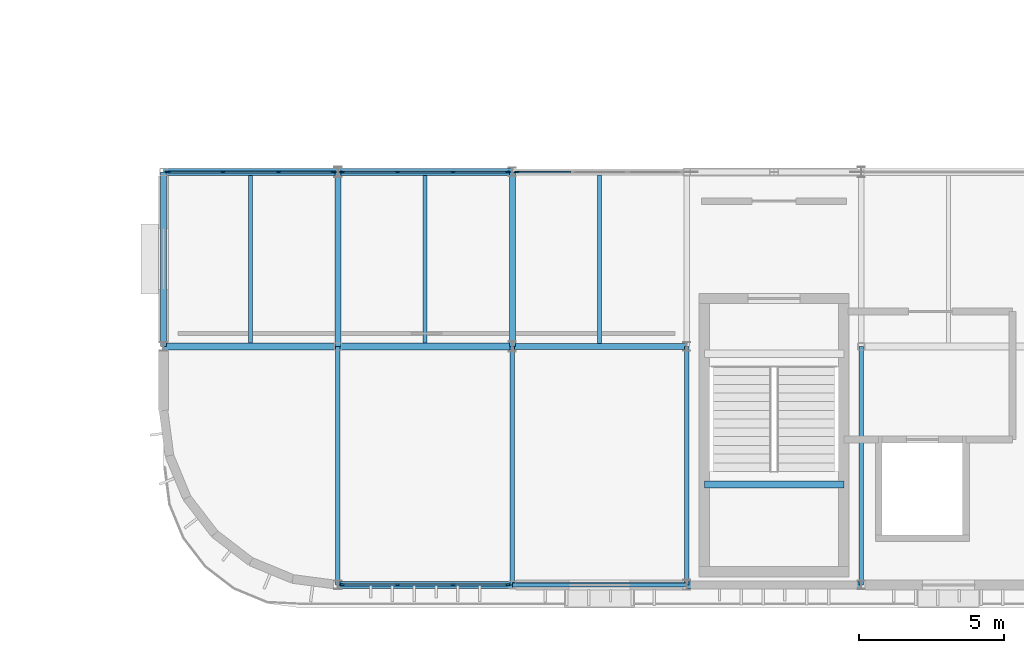
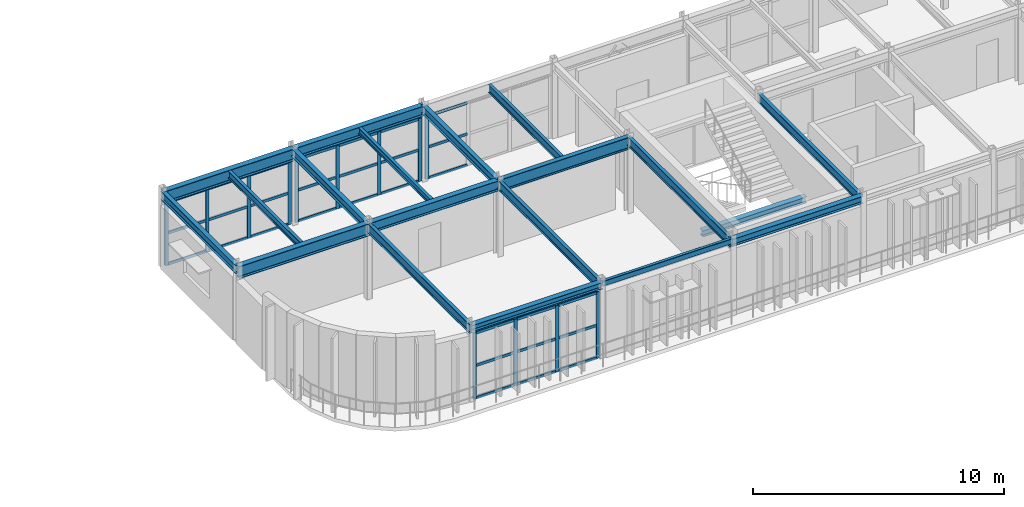
# One storey, part 16 of 63: 43 members, 19 beams, 4 elements without a shape of their own.
"""IFC4 building model written with IfcOpenShell, lengths in metres."""

from ifc_helpers import new_model, si_unit, direction, frame, origin, origin_2d, place, context, subcontext, project, spatial, rectangle, hollow_rectangle, i_section, extrude, material, material_profile, profile_set, type_object, element, aggregate, save


model = new_model("IFC4")

# Units and contexts
model_context = context("Model", 3, precision=1e-05, world=origin(), true_north=direction((0.0, 1.0)))
body_context = subcontext(model_context, "Body", "Model", "MODEL_VIEW")
ifc_project = project(units=[si_unit("LENGTHUNIT", "METRE"), si_unit("AREAUNIT", "SQUARE_METRE"), si_unit("VOLUMEUNIT", "CUBIC_METRE"), si_unit("PLANEANGLEUNIT", "RADIAN"), si_unit("MASSUNIT", "GRAM", prefix="KILO")], contexts=[model_context])

# Site, building, storey
site_placement = place(None, origin())
site = spatial("IfcSite", under=ifc_project, at=site_placement, CompositionType="ELEMENT")
building_placement = place(site_placement, origin())
building = spatial("IfcBuilding", under=site, at=building_placement, Name="Varnakota Square Police Headquarters", CompositionType="ELEMENT")
storey_placement = place(building_placement, frame((0.0, 0.0, 22.199951171875)))
storey = spatial("IfcBuildingStorey", under=building, at=storey_placement, Name="L05", CompositionType="ELEMENT", Elevation=22.199951171875)

# Beams
ifc_material_1 = material(Name="Steel IS 2062 Grade 350", Category="steel")
ifc_material_profile_1 = material_profile(ifc_material_1, hollow_rectangle(XDim=0.14990234375, YDim=0.25, WallThickness=0.010009765625, InnerFilletRadius=0.010009765625, OuterFilletRadius=0.02001953125, at=origin_2d()), Name="RHS 250x150x10")
ifc_profile_set_1 = profile_set([ifc_material_profile_1], Name="Steel IS 2062 Grade 350")
beam_type_1 = type_object("IfcBeamType", Name="BM-CBEAM-RHS250", PredefinedType="BEAM", material=ifc_profile_set_1)
beam_1_placement = place(storey_placement, frame((120.0, 0.800048828125, 3.56494140625), z_axis=(1.0, 0.0, 0.0), x_axis=(0.0, 1.0, 0.0)))
element("IfcBeam", 1, at=beam_1_placement, inside=storey, type_object=beam_type_1, Name="BMG-L05-3074", PredefinedType="BEAM", context=body_context, shape_type="SweptSolid", body=[
    extrude(hollow_rectangle(XDim=0.14990234375, YDim=0.25, WallThickness=0.010009765625, InnerFilletRadius=0.010009765625, OuterFilletRadius=0.02001953125, at=origin_2d()), origin(), (0.0, 0.0, 1.0), 6.0),
])
ifc_material_profile_2 = material_profile(ifc_material_1, i_section(OverallWidth=0.25, OverallDepth=0.300048828125, WebThickness=0.009521484375, FlangeThickness=0.010498046875, FilletRadius=0.011962890625, at=origin_2d()), Name="ISHB 300")
ifc_profile_set_2 = profile_set([ifc_material_profile_2], Name="Steel IS 2062 Grade 350")
beam_type_2 = type_object("IfcBeamType", Name="BM-ISHB300", PredefinedType="BEAM", material=ifc_profile_set_2)
beam_2_placement = place(storey_placement, frame((114.0, 0.800048828125, 3.5400390625), z_axis=(1.0, 0.0, 0.0), x_axis=(0.0, 1.0, 0.0)))
element("IfcBeam", 2, at=beam_2_placement, inside=storey, type_object=beam_type_2, Name="BMG-L05-3073", PredefinedType="BEAM", context=body_context, shape_type="SweptSolid", body=[
    extrude(i_section(OverallWidth=0.25, OverallDepth=0.300048828125, WebThickness=0.009521484375, FlangeThickness=0.010498046875, FilletRadius=0.011962890625, at=origin_2d()), origin(), (0.0, 0.0, 1.0), 6.0),
])
beam_3_placement = place(storey_placement, frame((126.60009765625, 4.24951171875, 1.634033203125), z_axis=(1.0, 0.0, 0.0), x_axis=(0.0, 1.0, 0.0)))
element("IfcBeam", 3, at=beam_3_placement, inside=storey, type_object=beam_type_2, Name="Stair landing support beam BM-LND-0012", PredefinedType="BEAM", context=body_context, shape_type="SweptSolid", body=[
    extrude(i_section(OverallWidth=0.25, OverallDepth=0.300048828125, WebThickness=0.009521484375, FlangeThickness=0.010498046875, FilletRadius=0.011962890625, at=origin_2d()), origin(), (0.0, 0.0, 1.0), 4.7998046875),
])
ifc_material_profile_3 = material_profile(ifc_material_1, i_section(OverallWidth=0.25, OverallDepth=0.35009765625, WebThickness=0.010009765625, FlangeThickness=0.01171875, FilletRadius=0.011962890625, at=origin_2d()), Name="ISHB 350")
ifc_profile_set_3 = profile_set([ifc_material_profile_3], Name="Steel IS 2062 Grade 350")
beam_type_3 = type_object("IfcBeamType", Name="BM-ISHB350", PredefinedType="BEAM", material=ifc_profile_set_3)
beam_4_placement = place(storey_placement, frame((126.0, 0.800048828125, 3.51513671875), z_axis=(1.0, 0.0, 0.0), x_axis=(0.0, 1.0, 0.0)))
element("IfcBeam", 4, at=beam_4_placement, inside=storey, type_object=beam_type_3, Name="BMG-L05-3075", PredefinedType="BEAM", context=body_context, shape_type="SweptSolid", body=[
    extrude(i_section(OverallWidth=0.25, OverallDepth=0.35009765625, WebThickness=0.010009765625, FlangeThickness=0.01171875, FilletRadius=0.011962890625, at=origin_2d()), origin(), (0.0, 0.0, 1.0), 6.0),
])
ifc_material_profile_4 = material_profile(ifc_material_1, i_section(OverallWidth=0.139892578125, OverallDepth=0.300048828125, WebThickness=0.0078125, FlangeThickness=0.01318359375, FilletRadius=0.013916015625, at=origin_2d()), Name="ISMB 300")
ifc_profile_set_4 = profile_set([ifc_material_profile_4], Name="Steel IS 2062 Grade 350")
beam_type_4 = type_object("IfcBeamType", Name="BM-ISMB300", PredefinedType="JOIST", material=ifc_profile_set_4)
beam_5_placement = place(storey_placement, frame((117.0, 9.123046875, 3.5400390625), z_axis=(0.0, 1.0, 0.0), x_axis=(-1.0, 0.0, 0.0)))
element("IfcBeam", 5, at=beam_5_placement, inside=storey, type_object=beam_type_4, Name="BMG-L05-3280", PredefinedType="JOIST", context=body_context, shape_type="SweptSolid", body=[
    extrude(i_section(OverallWidth=0.139892578125, OverallDepth=0.300048828125, WebThickness=0.0078125, FlangeThickness=0.01318359375, FilletRadius=0.013916015625, at=origin_2d()), origin(), (0.0, 0.0, 1.0), 5.75390625),
])
ifc_material_profile_5 = material_profile(ifc_material_1, i_section(OverallWidth=0.139892578125, OverallDepth=0.35009765625, WebThickness=0.008056640625, FlangeThickness=0.01416015625, FilletRadius=0.013916015625, at=origin_2d()), Name="ISMB 350")
ifc_profile_set_5 = profile_set([ifc_material_profile_5], Name="Steel IS 2062 Grade 350")
beam_type_5 = type_object("IfcBeamType", Name="BM-ISMB350", PredefinedType="JOIST", material=ifc_profile_set_5)
beam_6_placement = place(storey_placement, frame((111.0, 9.123046875, 3.51513671875), z_axis=(0.0, 1.0, 0.0), x_axis=(-1.0, 0.0, 0.0)))
element("IfcBeam", 6, at=beam_6_placement, inside=storey, type_object=beam_type_5, Name="BMG-L05-3279", PredefinedType="JOIST", context=body_context, shape_type="SweptSolid", body=[
    extrude(i_section(OverallWidth=0.139892578125, OverallDepth=0.35009765625, WebThickness=0.008056640625, FlangeThickness=0.01416015625, FilletRadius=0.013916015625, at=origin_2d()), origin(), (0.0, 0.0, 1.0), 5.75390625),
])
ifc_material_profile_6 = material_profile(ifc_material_1, i_section(OverallWidth=0.139892578125, OverallDepth=0.39990234375, WebThickness=0.0087890625, FlangeThickness=0.01611328125, FilletRadius=0.013916015625, at=origin_2d()), Name="ISMB 400")
ifc_profile_set_6 = profile_set([ifc_material_profile_6], Name="Steel IS 2062 Grade 350")
beam_type_6 = type_object("IfcBeamType", Name="BM-ISMB400", PredefinedType="JOIST", material=ifc_profile_set_6)
beam_7_placement = place(storey_placement, frame((123.0, 9.10302734375, 3.489990234375), z_axis=(0.0, 1.0, 0.0), x_axis=(-1.0, 0.0, 0.0)))
element("IfcBeam", 7, at=beam_7_placement, inside=storey, type_object=beam_type_6, Name="BMG-L05-3281", PredefinedType="JOIST", context=body_context, shape_type="SweptSolid", body=[
    extrude(i_section(OverallWidth=0.139892578125, OverallDepth=0.39990234375, WebThickness=0.0087890625, FlangeThickness=0.01611328125, FilletRadius=0.013916015625, at=origin_2d()), origin(), (0.0, 0.0, 1.0), 5.7939453125),
])
ifc_material_profile_7 = material_profile(ifc_material_1, i_section(OverallWidth=0.14990234375, OverallDepth=0.449951171875, WebThickness=0.009521484375, FlangeThickness=0.017333984375, FilletRadius=0.014892578125, at=origin_2d()), Name="ISMB 450")
ifc_profile_set_7 = profile_set([ifc_material_profile_7], Name="Steel IS 2062 Grade 350")
beam_type_7 = type_object("IfcBeamType", Name="BM-ISMB450", PredefinedType="BEAM", material=ifc_profile_set_7)
for number, where, z_axis, x_axis, name in (
    (8, (114.0, 0.800048828125, 3.465087890625), (0.0, 1.0, 0.0), (-1.0, 0.0, 0.0), "BMG-L05-3207"),
    (9, (120.0, 0.800048828125, 3.465087890625), (0.0, 1.0, 0.0), (-1.0, 0.0, 0.0), "BMG-L05-3209"),
    (10, (126.0, 0.800048828125, 3.465087890625), (0.0, 1.0, 0.0), (-1.0, 0.0, 0.0), "BMG-L05-3211"),
    (11, (132.0, 0.800048828125, 3.465087890625), (0.0, 1.0, 0.0), (-1.0, 0.0, 0.0), "BMG-L05-3213"),
):
    element("IfcBeam", number, at=place(storey_placement, frame(where, z_axis=z_axis, x_axis=x_axis)), inside=storey, type_object=beam_type_7, Name=name, PredefinedType="BEAM", context=body_context, shape_type="SweptSolid", body=[
        extrude(i_section(OverallWidth=0.14990234375, OverallDepth=0.449951171875, WebThickness=0.009521484375, FlangeThickness=0.017333984375, FilletRadius=0.014892578125, at=origin_2d()), origin(), (0.0, 0.0, 1.0), 8.199951171875),
    ])
ifc_material_profile_8 = material_profile(ifc_material_1, i_section(OverallWidth=0.2099609375, OverallDepth=0.60009765625, WebThickness=0.011962890625, FlangeThickness=0.020751953125, FilletRadius=0.02001953125, at=origin_2d()), Name="ISMB 600")
ifc_profile_set_8 = profile_set([ifc_material_profile_8], Name="Steel IS 2062 Grade 350")
beam_type_8 = type_object("IfcBeamType", Name="BM-ISMB600", PredefinedType="BEAM", material=ifc_profile_set_8)
beam_8_placement = place(storey_placement, frame((120.0, 9.0, 3.39013671875), z_axis=(1.0, 0.0, 0.0), x_axis=(0.0, 1.0, 0.0)))
element("IfcBeam", 12, at=beam_8_placement, inside=storey, type_object=beam_type_8, Name="BMG-L05-3082", PredefinedType="BEAM", context=body_context, shape_type="SweptSolid", body=[
    extrude(i_section(OverallWidth=0.2099609375, OverallDepth=0.60009765625, WebThickness=0.011962890625, FlangeThickness=0.020751953125, FilletRadius=0.02001953125, at=origin_2d()), origin(), (0.0, 0.0, 1.0), 6.0),
])
ifc_material_profile_9 = material_profile(ifc_material_1, i_section(OverallWidth=0.199951171875, OverallDepth=0.39990234375, WebThickness=0.008544921875, FlangeThickness=0.012939453125, FilletRadius=0.012939453125, at=origin_2d()), Name="ISWB 400")
ifc_profile_set_9 = profile_set([ifc_material_profile_9], Name="Steel IS 2062 Grade 350")
beam_type_9 = type_object("IfcBeamType", Name="BM-ISWB400", PredefinedType="BEAM", material=ifc_profile_set_9)
for number, where, z_axis, x_axis, name in (
    (13, (108.0, 9.0, 3.489990234375), (0.0, 1.0, 0.0), (-1.0, 0.0, 0.0), "BMG-L05-3206"),
    (14, (114.0, 9.0, 3.489990234375), (0.0, 1.0, 0.0), (-1.0, 0.0, 0.0), "BMG-L05-3208"),
    (15, (120.0, 9.0, 3.489990234375), (0.0, 1.0, 0.0), (-1.0, 0.0, 0.0), "BMG-L05-3210"),
):
    element("IfcBeam", number, at=place(storey_placement, frame(where, z_axis=z_axis, x_axis=x_axis)), inside=storey, type_object=beam_type_9, Name=name, PredefinedType="BEAM", context=body_context, shape_type="SweptSolid", body=[
        extrude(i_section(OverallWidth=0.199951171875, OverallDepth=0.39990234375, WebThickness=0.008544921875, FlangeThickness=0.012939453125, FilletRadius=0.012939453125, at=origin_2d()), origin(), (0.0, 0.0, 1.0), 6.0),
    ])
ifc_material_profile_10 = material_profile(ifc_material_1, i_section(OverallWidth=0.25, OverallDepth=0.5, WebThickness=0.010009765625, FlangeThickness=0.0146484375, FilletRadius=0.014892578125, at=origin_2d()), Name="ISWB 500")
ifc_profile_set_10 = profile_set([ifc_material_profile_10], Name="Steel IS 2062 Grade 350")
beam_type_10 = type_object("IfcBeamType", Name="BM-ISWB500", PredefinedType="BEAM", material=ifc_profile_set_10)
for number, where, z_axis, x_axis, name in (
    (16, (114.0, 9.0, 3.43994140625), (1.0, 0.0, 0.0), (0.0, 1.0, 0.0), "BMG-L05-3081"),
    (17, (114.0, 15.0, 3.43994140625), (1.0, 0.0, 0.0), (0.0, 1.0, 0.0), "BMG-L05-3089"),
):
    element("IfcBeam", number, at=place(storey_placement, frame(where, z_axis=z_axis, x_axis=x_axis)), inside=storey, type_object=beam_type_10, Name=name, PredefinedType="BEAM", context=body_context, shape_type="SweptSolid", body=[
        extrude(i_section(OverallWidth=0.25, OverallDepth=0.5, WebThickness=0.010009765625, FlangeThickness=0.0146484375, FilletRadius=0.014892578125, at=origin_2d()), origin(), (0.0, 0.0, 1.0), 6.0),
    ])
ifc_material_profile_11 = material_profile(ifc_material_1, i_section(OverallWidth=0.25, OverallDepth=0.60009765625, WebThickness=0.01171875, FlangeThickness=0.023681640625, FilletRadius=0.01708984375, at=origin_2d()), Name="ISWB 600")
ifc_profile_set_11 = profile_set([ifc_material_profile_11], Name="Steel IS 2062 Grade 350")
beam_type_11 = type_object("IfcBeamType", Name="BM-ISWB600", PredefinedType="BEAM", material=ifc_profile_set_11)
for number, where, z_axis, x_axis, name in (
    (18, (108.0, 9.0, 3.39013671875), (1.0, 0.0, 0.0), (0.0, 1.0, 0.0), "BMG-L05-3080"),
    (19, (108.0, 15.0, 3.39013671875), (1.0, 0.0, 0.0), (0.0, 1.0, 0.0), "BMG-L05-3088"),
):
    element("IfcBeam", number, at=place(storey_placement, frame(where, z_axis=z_axis, x_axis=x_axis)), inside=storey, type_object=beam_type_11, Name=name, PredefinedType="BEAM", context=body_context, shape_type="SweptSolid", body=[
        extrude(i_section(OverallWidth=0.25, OverallDepth=0.60009765625, WebThickness=0.01171875, FlangeThickness=0.023681640625, FilletRadius=0.01708984375, at=origin_2d()), origin(), (0.0, 0.0, 1.0), 6.0),
    ])

# Curtain wall, members
ifc_material_2 = material(Name="Anodised Aluminium Framing", Category="aluminium")
curtain_wall_type_1 = type_object("IfcCurtainWallType", Name="CW-SYS-C", PredefinedType="NOTDEFINED", material=ifc_material_2)
curtain_wall_1_placement = place(storey_placement, origin())
curtain_wall_1 = element("IfcCurtainWall", 20, at=curtain_wall_1_placement, inside=storey, type_object=curtain_wall_type_1, Name="Unitised curtain wall CWG-L05-099", PredefinedType="NOTDEFINED")
ifc_material_3 = material(Name="Anodised Aluminium 6063-T6", Category="aluminium")
ifc_material_profile_12 = material_profile(ifc_material_3, rectangle(XDim=0.06494140625, YDim=0.159912109375, at=origin_2d()), Name="ALU MULLION 65x160")
ifc_profile_set_12 = profile_set([ifc_material_profile_12], Name="Anodised Aluminium 6063-T6")
member_type_1 = type_object("IfcMemberType", Name="CWM-150", PredefinedType="MULLION", material=ifc_profile_set_12)
member_1_placement = place(storey_placement, frame((114.16259765625, 0.800048828125, 0.0), z_axis=(0.0, 0.0, 1.0), x_axis=(0.0, 1.0, 0.0)))
member_1 = element("IfcMember", 21, at=member_1_placement, type_object=member_type_1, Name="CWG-L05-099 mullion 1", PredefinedType="MULLION", context=body_context, shape_type="SweptSolid", body=[
    extrude(rectangle(XDim=0.06494140625, YDim=0.159912109375, at=origin_2d()), origin(), (0.0, 0.0, 1.0), 3.22998046875),
])
member_2_placement = place(storey_placement, frame((116.043212890625, 0.800048828125, 0.0), z_axis=(0.0, 0.0, 1.0), x_axis=(0.0, 1.0, 0.0)))
member_2 = element("IfcMember", 22, at=member_2_placement, type_object=member_type_1, Name="CWG-L05-099 mullion 2", PredefinedType="MULLION", context=body_context, shape_type="SweptSolid", body=[
    extrude(rectangle(XDim=0.06494140625, YDim=0.159912109375, at=origin_2d()), origin(), (0.0, 0.0, 1.0), 3.22998046875),
])
member_3_placement = place(storey_placement, frame((117.956787109375, 0.800048828125, 0.0), z_axis=(0.0, 0.0, 1.0), x_axis=(0.0, 1.0, 0.0)))
member_3 = element("IfcMember", 23, at=member_3_placement, type_object=member_type_1, Name="CWG-L05-099 mullion 3", PredefinedType="MULLION", context=body_context, shape_type="SweptSolid", body=[
    extrude(rectangle(XDim=0.06494140625, YDim=0.159912109375, at=origin_2d()), origin(), (0.0, 0.0, 1.0), 3.22998046875),
])
member_4_placement = place(storey_placement, frame((119.83740234375, 0.800048828125, 0.0), z_axis=(0.0, 0.0, 1.0), x_axis=(0.0, 1.0, 0.0)))
member_4 = element("IfcMember", 24, at=member_4_placement, type_object=member_type_1, Name="CWG-L05-099 mullion 4", PredefinedType="MULLION", context=body_context, shape_type="SweptSolid", body=[
    extrude(rectangle(XDim=0.06494140625, YDim=0.159912109375, at=origin_2d()), origin(), (0.0, 0.0, 1.0), 3.22998046875),
])

curtain_wall_type_2 = type_object("IfcCurtainWallType", Name="CW-SYS-D", PredefinedType="NOTDEFINED", material=ifc_material_2)
curtain_wall_2_placement = place(storey_placement, origin())
curtain_wall_2 = element("IfcCurtainWall", 25, at=curtain_wall_2_placement, inside=storey, type_object=curtain_wall_type_2, Name="Unitised curtain wall CWG-L05-102", PredefinedType="NOTDEFINED")
member_5_placement = place(storey_placement, frame((108.16259765625, 15.0, 0.0), z_axis=(0.0, 0.0, 1.0), x_axis=(0.0, 1.0, 0.0)))
member_5 = element("IfcMember", 26, at=member_5_placement, type_object=member_type_1, Name="CWG-L05-102 mullion 1", PredefinedType="MULLION", context=body_context, shape_type="SweptSolid", body=[
    extrude(rectangle(XDim=0.06494140625, YDim=0.159912109375, at=origin_2d()), origin(), (0.0, 0.0, 1.0), 3.080078125),
])
member_6_placement = place(storey_placement, frame((110.043212890625, 15.0, 0.0), z_axis=(0.0, 0.0, 1.0), x_axis=(0.0, 1.0, 0.0)))
member_6 = element("IfcMember", 27, at=member_6_placement, type_object=member_type_1, Name="CWG-L05-102 mullion 2", PredefinedType="MULLION", context=body_context, shape_type="SweptSolid", body=[
    extrude(rectangle(XDim=0.06494140625, YDim=0.159912109375, at=origin_2d()), origin(), (0.0, 0.0, 1.0), 3.080078125),
])
member_7_placement = place(storey_placement, frame((111.956787109375, 15.0, 0.0), z_axis=(0.0, 0.0, 1.0), x_axis=(0.0, 1.0, 0.0)))
member_7 = element("IfcMember", 28, at=member_7_placement, type_object=member_type_1, Name="CWG-L05-102 mullion 3", PredefinedType="MULLION", context=body_context, shape_type="SweptSolid", body=[
    extrude(rectangle(XDim=0.06494140625, YDim=0.159912109375, at=origin_2d()), origin(), (0.0, 0.0, 1.0), 3.080078125),
])
member_8_placement = place(storey_placement, frame((113.83740234375, 15.0, 0.0), z_axis=(0.0, 0.0, 1.0), x_axis=(0.0, 1.0, 0.0)))
member_8 = element("IfcMember", 29, at=member_8_placement, type_object=member_type_1, Name="CWG-L05-102 mullion 4", PredefinedType="MULLION", context=body_context, shape_type="SweptSolid", body=[
    extrude(rectangle(XDim=0.06494140625, YDim=0.159912109375, at=origin_2d()), origin(), (0.0, 0.0, 1.0), 3.080078125),
])

curtain_wall_3_placement = place(storey_placement, origin())
curtain_wall_3 = element("IfcCurtainWall", 30, at=curtain_wall_3_placement, inside=storey, type_object=curtain_wall_type_2, Name="Unitised curtain wall CWG-L05-103", PredefinedType="NOTDEFINED")
member_9_placement = place(storey_placement, frame((114.16259765625, 15.0, 0.0), z_axis=(0.0, 0.0, 1.0), x_axis=(0.0, 1.0, 0.0)))
member_9 = element("IfcMember", 31, at=member_9_placement, type_object=member_type_1, Name="CWG-L05-103 mullion 1", PredefinedType="MULLION", context=body_context, shape_type="SweptSolid", body=[
    extrude(rectangle(XDim=0.06494140625, YDim=0.159912109375, at=origin_2d()), origin(), (0.0, 0.0, 1.0), 3.080078125),
])
member_10_placement = place(storey_placement, frame((116.043212890625, 15.0, 0.0), z_axis=(0.0, 0.0, 1.0), x_axis=(0.0, 1.0, 0.0)))
member_10 = element("IfcMember", 32, at=member_10_placement, type_object=member_type_1, Name="CWG-L05-103 mullion 2", PredefinedType="MULLION", context=body_context, shape_type="SweptSolid", body=[
    extrude(rectangle(XDim=0.06494140625, YDim=0.159912109375, at=origin_2d()), origin(), (0.0, 0.0, 1.0), 3.080078125),
])
member_11_placement = place(storey_placement, frame((117.956787109375, 15.0, 0.0), z_axis=(0.0, 0.0, 1.0), x_axis=(0.0, 1.0, 0.0)))
member_11 = element("IfcMember", 33, at=member_11_placement, type_object=member_type_1, Name="CWG-L05-103 mullion 3", PredefinedType="MULLION", context=body_context, shape_type="SweptSolid", body=[
    extrude(rectangle(XDim=0.06494140625, YDim=0.159912109375, at=origin_2d()), origin(), (0.0, 0.0, 1.0), 3.080078125),
])
member_12_placement = place(storey_placement, frame((119.83740234375, 15.0, 0.0), z_axis=(0.0, 0.0, 1.0), x_axis=(0.0, 1.0, 0.0)))
member_12 = element("IfcMember", 34, at=member_12_placement, type_object=member_type_1, Name="CWG-L05-103 mullion 4", PredefinedType="MULLION", context=body_context, shape_type="SweptSolid", body=[
    extrude(rectangle(XDim=0.06494140625, YDim=0.159912109375, at=origin_2d()), origin(), (0.0, 0.0, 1.0), 3.080078125),
])

# Curtain wall, member
curtain_wall_4_placement = place(storey_placement, origin())
curtain_wall_4 = element("IfcCurtainWall", 35, at=curtain_wall_4_placement, inside=storey, type_object=curtain_wall_type_2, Name="Unitised curtain wall CWG-L05-104", PredefinedType="NOTDEFINED")
member_13_placement = place(storey_placement, frame((120.16259765625, 15.0, 0.0), z_axis=(0.0, 0.0, 1.0), x_axis=(0.0, 1.0, 0.0)))
member_13 = element("IfcMember", 36, at=member_13_placement, type_object=member_type_1, Name="CWG-L05-104 mullion 1", PredefinedType="MULLION", context=body_context, shape_type="SweptSolid", body=[
    extrude(rectangle(XDim=0.06494140625, YDim=0.159912109375, at=origin_2d()), origin(), (0.0, 0.0, 1.0), 3.080078125),
])

# Member
ifc_material_profile_13 = material_profile(ifc_material_3, rectangle(XDim=0.06494140625, YDim=0.1298828125, at=origin_2d()), Name="ALU TRANSOM 65x130")
ifc_profile_set_13 = profile_set([ifc_material_profile_13], Name="Anodised Aluminium 6063-T6")
member_type_2 = type_object("IfcMemberType", Name="CWT-120", PredefinedType="USERDEFINED", material=ifc_profile_set_13)
member_14_placement = place(storey_placement, frame((114.195068359375, 0.800048828125, 0.032470703125), z_axis=(1.0, 0.0, 0.0), x_axis=(0.0, 1.0, 0.0)))
member_14 = element("IfcMember", 37, at=member_14_placement, type_object=member_type_2, Name="CWG-L05-099 transom 1.1", ObjectType="TRANSOM", PredefinedType="USERDEFINED", context=body_context, shape_type="SweptSolid", body=[
    extrude(rectangle(XDim=0.06494140625, YDim=0.1298828125, at=origin_2d()), origin(), (0.0, 0.0, 1.0), 1.815673828125),
])

member_15_placement = place(storey_placement, frame((114.195068359375, 0.800048828125, 1.614990234375), z_axis=(1.0, 0.0, 0.0), x_axis=(0.0, 1.0, 0.0)))
member_15 = element("IfcMember", 38, at=member_15_placement, type_object=member_type_2, Name="CWG-L05-099 transom 1.2", ObjectType="TRANSOM", PredefinedType="USERDEFINED", context=body_context, shape_type="SweptSolid", body=[
    extrude(rectangle(XDim=0.06494140625, YDim=0.1298828125, at=origin_2d()), origin(), (0.0, 0.0, 1.0), 1.815673828125),
])

member_16_placement = place(storey_placement, frame((114.195068359375, 0.800048828125, 3.197509765625), z_axis=(1.0, 0.0, 0.0), x_axis=(0.0, 1.0, 0.0)))
member_16 = element("IfcMember", 39, at=member_16_placement, type_object=member_type_2, Name="CWG-L05-099 transom 1.3", ObjectType="TRANSOM", PredefinedType="USERDEFINED", context=body_context, shape_type="SweptSolid", body=[
    extrude(rectangle(XDim=0.06494140625, YDim=0.1298828125, at=origin_2d()), origin(), (0.0, 0.0, 1.0), 1.815673828125),
])

member_17_placement = place(storey_placement, frame((116.075927734375, 0.800048828125, 0.032470703125), z_axis=(1.0, 0.0, 0.0), x_axis=(0.0, 1.0, 0.0)))
member_17 = element("IfcMember", 40, at=member_17_placement, type_object=member_type_2, Name="CWG-L05-099 transom 2.1", ObjectType="TRANSOM", PredefinedType="USERDEFINED", context=body_context, shape_type="SweptSolid", body=[
    extrude(rectangle(XDim=0.06494140625, YDim=0.1298828125, at=origin_2d()), origin(), (0.0, 0.0, 1.0), 1.84814453125),
])

member_18_placement = place(storey_placement, frame((116.075927734375, 0.800048828125, 1.614990234375), z_axis=(1.0, 0.0, 0.0), x_axis=(0.0, 1.0, 0.0)))
member_18 = element("IfcMember", 41, at=member_18_placement, type_object=member_type_2, Name="CWG-L05-099 transom 2.2", ObjectType="TRANSOM", PredefinedType="USERDEFINED", context=body_context, shape_type="SweptSolid", body=[
    extrude(rectangle(XDim=0.06494140625, YDim=0.1298828125, at=origin_2d()), origin(), (0.0, 0.0, 1.0), 1.84814453125),
])

member_19_placement = place(storey_placement, frame((116.075927734375, 0.800048828125, 3.197509765625), z_axis=(1.0, 0.0, 0.0), x_axis=(0.0, 1.0, 0.0)))
member_19 = element("IfcMember", 42, at=member_19_placement, type_object=member_type_2, Name="CWG-L05-099 transom 2.3", ObjectType="TRANSOM", PredefinedType="USERDEFINED", context=body_context, shape_type="SweptSolid", body=[
    extrude(rectangle(XDim=0.06494140625, YDim=0.1298828125, at=origin_2d()), origin(), (0.0, 0.0, 1.0), 1.84814453125),
])

member_20_placement = place(storey_placement, frame((117.9892578125, 0.800048828125, 0.032470703125), z_axis=(1.0, 0.0, 0.0), x_axis=(0.0, 1.0, 0.0)))
member_20 = element("IfcMember", 43, at=member_20_placement, type_object=member_type_2, Name="CWG-L05-099 transom 3.1", ObjectType="TRANSOM", PredefinedType="USERDEFINED", context=body_context, shape_type="SweptSolid", body=[
    extrude(rectangle(XDim=0.06494140625, YDim=0.1298828125, at=origin_2d()), origin(), (0.0, 0.0, 1.0), 1.815673828125),
])

member_21_placement = place(storey_placement, frame((117.9892578125, 0.800048828125, 1.614990234375), z_axis=(1.0, 0.0, 0.0), x_axis=(0.0, 1.0, 0.0)))
member_21 = element("IfcMember", 44, at=member_21_placement, type_object=member_type_2, Name="CWG-L05-099 transom 3.2", ObjectType="TRANSOM", PredefinedType="USERDEFINED", context=body_context, shape_type="SweptSolid", body=[
    extrude(rectangle(XDim=0.06494140625, YDim=0.1298828125, at=origin_2d()), origin(), (0.0, 0.0, 1.0), 1.815673828125),
])

member_22_placement = place(storey_placement, frame((117.9892578125, 0.800048828125, 3.197509765625), z_axis=(1.0, 0.0, 0.0), x_axis=(0.0, 1.0, 0.0)))
member_22 = element("IfcMember", 45, at=member_22_placement, type_object=member_type_2, Name="CWG-L05-099 transom 3.3", ObjectType="TRANSOM", PredefinedType="USERDEFINED", context=body_context, shape_type="SweptSolid", body=[
    extrude(rectangle(XDim=0.06494140625, YDim=0.1298828125, at=origin_2d()), origin(), (0.0, 0.0, 1.0), 1.815673828125),
])

aggregate(curtain_wall_1, [member_1, member_2, member_3, member_4, member_14, member_15, member_16, member_17, member_18, member_19, member_20, member_21, member_22])

member_23_placement = place(storey_placement, frame((108.195068359375, 15.0, 0.032470703125), z_axis=(1.0, 0.0, 0.0), x_axis=(0.0, 1.0, 0.0)))
member_23 = element("IfcMember", 46, at=member_23_placement, type_object=member_type_2, Name="CWG-L05-102 transom 1.1", ObjectType="TRANSOM", PredefinedType="USERDEFINED", context=body_context, shape_type="SweptSolid", body=[
    extrude(rectangle(XDim=0.06494140625, YDim=0.1298828125, at=origin_2d()), origin(), (0.0, 0.0, 1.0), 1.815673828125),
])

member_24_placement = place(storey_placement, frame((108.195068359375, 15.0, 1.5400390625), z_axis=(1.0, 0.0, 0.0), x_axis=(0.0, 1.0, 0.0)))
member_24 = element("IfcMember", 47, at=member_24_placement, type_object=member_type_2, Name="CWG-L05-102 transom 1.2", ObjectType="TRANSOM", PredefinedType="USERDEFINED", context=body_context, shape_type="SweptSolid", body=[
    extrude(rectangle(XDim=0.06494140625, YDim=0.1298828125, at=origin_2d()), origin(), (0.0, 0.0, 1.0), 1.815673828125),
])

member_25_placement = place(storey_placement, frame((108.195068359375, 15.0, 3.047607421875), z_axis=(1.0, 0.0, 0.0), x_axis=(0.0, 1.0, 0.0)))
member_25 = element("IfcMember", 48, at=member_25_placement, type_object=member_type_2, Name="CWG-L05-102 transom 1.3", ObjectType="TRANSOM", PredefinedType="USERDEFINED", context=body_context, shape_type="SweptSolid", body=[
    extrude(rectangle(XDim=0.06494140625, YDim=0.1298828125, at=origin_2d()), origin(), (0.0, 0.0, 1.0), 1.815673828125),
])

member_26_placement = place(storey_placement, frame((110.075927734375, 15.0, 0.032470703125), z_axis=(1.0, 0.0, 0.0), x_axis=(0.0, 1.0, 0.0)))
member_26 = element("IfcMember", 49, at=member_26_placement, type_object=member_type_2, Name="CWG-L05-102 transom 2.1", ObjectType="TRANSOM", PredefinedType="USERDEFINED", context=body_context, shape_type="SweptSolid", body=[
    extrude(rectangle(XDim=0.06494140625, YDim=0.1298828125, at=origin_2d()), origin(), (0.0, 0.0, 1.0), 1.84814453125),
])

member_27_placement = place(storey_placement, frame((110.075927734375, 15.0, 1.5400390625), z_axis=(1.0, 0.0, 0.0), x_axis=(0.0, 1.0, 0.0)))
member_27 = element("IfcMember", 50, at=member_27_placement, type_object=member_type_2, Name="CWG-L05-102 transom 2.2", ObjectType="TRANSOM", PredefinedType="USERDEFINED", context=body_context, shape_type="SweptSolid", body=[
    extrude(rectangle(XDim=0.06494140625, YDim=0.1298828125, at=origin_2d()), origin(), (0.0, 0.0, 1.0), 1.84814453125),
])

member_28_placement = place(storey_placement, frame((110.075927734375, 15.0, 3.047607421875), z_axis=(1.0, 0.0, 0.0), x_axis=(0.0, 1.0, 0.0)))
member_28 = element("IfcMember", 51, at=member_28_placement, type_object=member_type_2, Name="CWG-L05-102 transom 2.3", ObjectType="TRANSOM", PredefinedType="USERDEFINED", context=body_context, shape_type="SweptSolid", body=[
    extrude(rectangle(XDim=0.06494140625, YDim=0.1298828125, at=origin_2d()), origin(), (0.0, 0.0, 1.0), 1.84814453125),
])

member_29_placement = place(storey_placement, frame((111.9892578125, 15.0, 0.032470703125), z_axis=(1.0, 0.0, 0.0), x_axis=(0.0, 1.0, 0.0)))
member_29 = element("IfcMember", 52, at=member_29_placement, type_object=member_type_2, Name="CWG-L05-102 transom 3.1", ObjectType="TRANSOM", PredefinedType="USERDEFINED", context=body_context, shape_type="SweptSolid", body=[
    extrude(rectangle(XDim=0.06494140625, YDim=0.1298828125, at=origin_2d()), origin(), (0.0, 0.0, 1.0), 1.815673828125),
])

member_30_placement = place(storey_placement, frame((111.9892578125, 15.0, 1.5400390625), z_axis=(1.0, 0.0, 0.0), x_axis=(0.0, 1.0, 0.0)))
member_30 = element("IfcMember", 53, at=member_30_placement, type_object=member_type_2, Name="CWG-L05-102 transom 3.2", ObjectType="TRANSOM", PredefinedType="USERDEFINED", context=body_context, shape_type="SweptSolid", body=[
    extrude(rectangle(XDim=0.06494140625, YDim=0.1298828125, at=origin_2d()), origin(), (0.0, 0.0, 1.0), 1.815673828125),
])

member_31_placement = place(storey_placement, frame((111.9892578125, 15.0, 3.047607421875), z_axis=(1.0, 0.0, 0.0), x_axis=(0.0, 1.0, 0.0)))
member_31 = element("IfcMember", 54, at=member_31_placement, type_object=member_type_2, Name="CWG-L05-102 transom 3.3", ObjectType="TRANSOM", PredefinedType="USERDEFINED", context=body_context, shape_type="SweptSolid", body=[
    extrude(rectangle(XDim=0.06494140625, YDim=0.1298828125, at=origin_2d()), origin(), (0.0, 0.0, 1.0), 1.815673828125),
])

aggregate(curtain_wall_2, [member_5, member_6, member_7, member_8, member_23, member_24, member_25, member_26, member_27, member_28, member_29, member_30, member_31])

member_32_placement = place(storey_placement, frame((114.195068359375, 15.0, 0.032470703125), z_axis=(1.0, 0.0, 0.0), x_axis=(0.0, 1.0, 0.0)))
member_32 = element("IfcMember", 55, at=member_32_placement, type_object=member_type_2, Name="CWG-L05-103 transom 1.1", ObjectType="TRANSOM", PredefinedType="USERDEFINED", context=body_context, shape_type="SweptSolid", body=[
    extrude(rectangle(XDim=0.06494140625, YDim=0.1298828125, at=origin_2d()), origin(), (0.0, 0.0, 1.0), 1.815673828125),
])

member_33_placement = place(storey_placement, frame((114.195068359375, 15.0, 1.5400390625), z_axis=(1.0, 0.0, 0.0), x_axis=(0.0, 1.0, 0.0)))
member_33 = element("IfcMember", 56, at=member_33_placement, type_object=member_type_2, Name="CWG-L05-103 transom 1.2", ObjectType="TRANSOM", PredefinedType="USERDEFINED", context=body_context, shape_type="SweptSolid", body=[
    extrude(rectangle(XDim=0.06494140625, YDim=0.1298828125, at=origin_2d()), origin(), (0.0, 0.0, 1.0), 1.815673828125),
])

member_34_placement = place(storey_placement, frame((114.195068359375, 15.0, 3.047607421875), z_axis=(1.0, 0.0, 0.0), x_axis=(0.0, 1.0, 0.0)))
member_34 = element("IfcMember", 57, at=member_34_placement, type_object=member_type_2, Name="CWG-L05-103 transom 1.3", ObjectType="TRANSOM", PredefinedType="USERDEFINED", context=body_context, shape_type="SweptSolid", body=[
    extrude(rectangle(XDim=0.06494140625, YDim=0.1298828125, at=origin_2d()), origin(), (0.0, 0.0, 1.0), 1.815673828125),
])

member_35_placement = place(storey_placement, frame((116.075927734375, 15.0, 0.032470703125), z_axis=(1.0, 0.0, 0.0), x_axis=(0.0, 1.0, 0.0)))
member_35 = element("IfcMember", 58, at=member_35_placement, type_object=member_type_2, Name="CWG-L05-103 transom 2.1", ObjectType="TRANSOM", PredefinedType="USERDEFINED", context=body_context, shape_type="SweptSolid", body=[
    extrude(rectangle(XDim=0.06494140625, YDim=0.1298828125, at=origin_2d()), origin(), (0.0, 0.0, 1.0), 1.84814453125),
])

member_36_placement = place(storey_placement, frame((116.075927734375, 15.0, 1.5400390625), z_axis=(1.0, 0.0, 0.0), x_axis=(0.0, 1.0, 0.0)))
member_36 = element("IfcMember", 59, at=member_36_placement, type_object=member_type_2, Name="CWG-L05-103 transom 2.2", ObjectType="TRANSOM", PredefinedType="USERDEFINED", context=body_context, shape_type="SweptSolid", body=[
    extrude(rectangle(XDim=0.06494140625, YDim=0.1298828125, at=origin_2d()), origin(), (0.0, 0.0, 1.0), 1.84814453125),
])

member_37_placement = place(storey_placement, frame((116.075927734375, 15.0, 3.047607421875), z_axis=(1.0, 0.0, 0.0), x_axis=(0.0, 1.0, 0.0)))
member_37 = element("IfcMember", 60, at=member_37_placement, type_object=member_type_2, Name="CWG-L05-103 transom 2.3", ObjectType="TRANSOM", PredefinedType="USERDEFINED", context=body_context, shape_type="SweptSolid", body=[
    extrude(rectangle(XDim=0.06494140625, YDim=0.1298828125, at=origin_2d()), origin(), (0.0, 0.0, 1.0), 1.84814453125),
])

member_38_placement = place(storey_placement, frame((117.9892578125, 15.0, 0.032470703125), z_axis=(1.0, 0.0, 0.0), x_axis=(0.0, 1.0, 0.0)))
member_38 = element("IfcMember", 61, at=member_38_placement, type_object=member_type_2, Name="CWG-L05-103 transom 3.1", ObjectType="TRANSOM", PredefinedType="USERDEFINED", context=body_context, shape_type="SweptSolid", body=[
    extrude(rectangle(XDim=0.06494140625, YDim=0.1298828125, at=origin_2d()), origin(), (0.0, 0.0, 1.0), 1.815673828125),
])

member_39_placement = place(storey_placement, frame((117.9892578125, 15.0, 1.5400390625), z_axis=(1.0, 0.0, 0.0), x_axis=(0.0, 1.0, 0.0)))
member_39 = element("IfcMember", 62, at=member_39_placement, type_object=member_type_2, Name="CWG-L05-103 transom 3.2", ObjectType="TRANSOM", PredefinedType="USERDEFINED", context=body_context, shape_type="SweptSolid", body=[
    extrude(rectangle(XDim=0.06494140625, YDim=0.1298828125, at=origin_2d()), origin(), (0.0, 0.0, 1.0), 1.815673828125),
])

member_40_placement = place(storey_placement, frame((117.9892578125, 15.0, 3.047607421875), z_axis=(1.0, 0.0, 0.0), x_axis=(0.0, 1.0, 0.0)))
member_40 = element("IfcMember", 63, at=member_40_placement, type_object=member_type_2, Name="CWG-L05-103 transom 3.3", ObjectType="TRANSOM", PredefinedType="USERDEFINED", context=body_context, shape_type="SweptSolid", body=[
    extrude(rectangle(XDim=0.06494140625, YDim=0.1298828125, at=origin_2d()), origin(), (0.0, 0.0, 1.0), 1.815673828125),
])

aggregate(curtain_wall_3, [member_9, member_10, member_11, member_12, member_32, member_33, member_34, member_35, member_36, member_37, member_38, member_39, member_40])

member_41_placement = place(storey_placement, frame((120.195068359375, 15.0, 0.032470703125), z_axis=(1.0, 0.0, 0.0), x_axis=(0.0, 1.0, 0.0)))
member_41 = element("IfcMember", 64, at=member_41_placement, type_object=member_type_2, Name="CWG-L05-104 transom 1.1", ObjectType="TRANSOM", PredefinedType="USERDEFINED", context=body_context, shape_type="SweptSolid", body=[
    extrude(rectangle(XDim=0.06494140625, YDim=0.1298828125, at=origin_2d()), origin(), (0.0, 0.0, 1.0), 1.815673828125),
])

member_42_placement = place(storey_placement, frame((120.195068359375, 15.0, 1.5400390625), z_axis=(1.0, 0.0, 0.0), x_axis=(0.0, 1.0, 0.0)))
member_42 = element("IfcMember", 65, at=member_42_placement, type_object=member_type_2, Name="CWG-L05-104 transom 1.2", ObjectType="TRANSOM", PredefinedType="USERDEFINED", context=body_context, shape_type="SweptSolid", body=[
    extrude(rectangle(XDim=0.06494140625, YDim=0.1298828125, at=origin_2d()), origin(), (0.0, 0.0, 1.0), 1.815673828125),
])

member_43_placement = place(storey_placement, frame((120.195068359375, 15.0, 3.047607421875), z_axis=(1.0, 0.0, 0.0), x_axis=(0.0, 1.0, 0.0)))
member_43 = element("IfcMember", 66, at=member_43_placement, type_object=member_type_2, Name="CWG-L05-104 transom 1.3", ObjectType="TRANSOM", PredefinedType="USERDEFINED", context=body_context, shape_type="SweptSolid", body=[
    extrude(rectangle(XDim=0.06494140625, YDim=0.1298828125, at=origin_2d()), origin(), (0.0, 0.0, 1.0), 1.815673828125),
])

aggregate(curtain_wall_4, [member_13, member_41, member_42, member_43])

save(model, "model.ifc")
